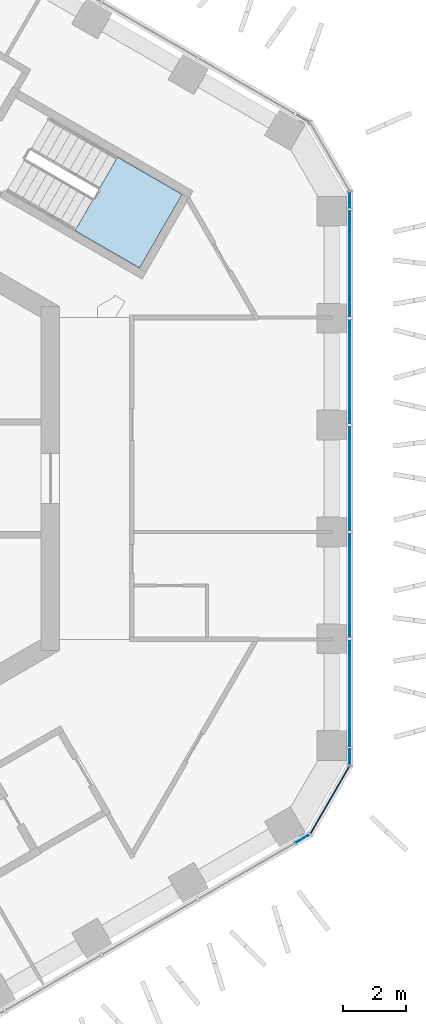
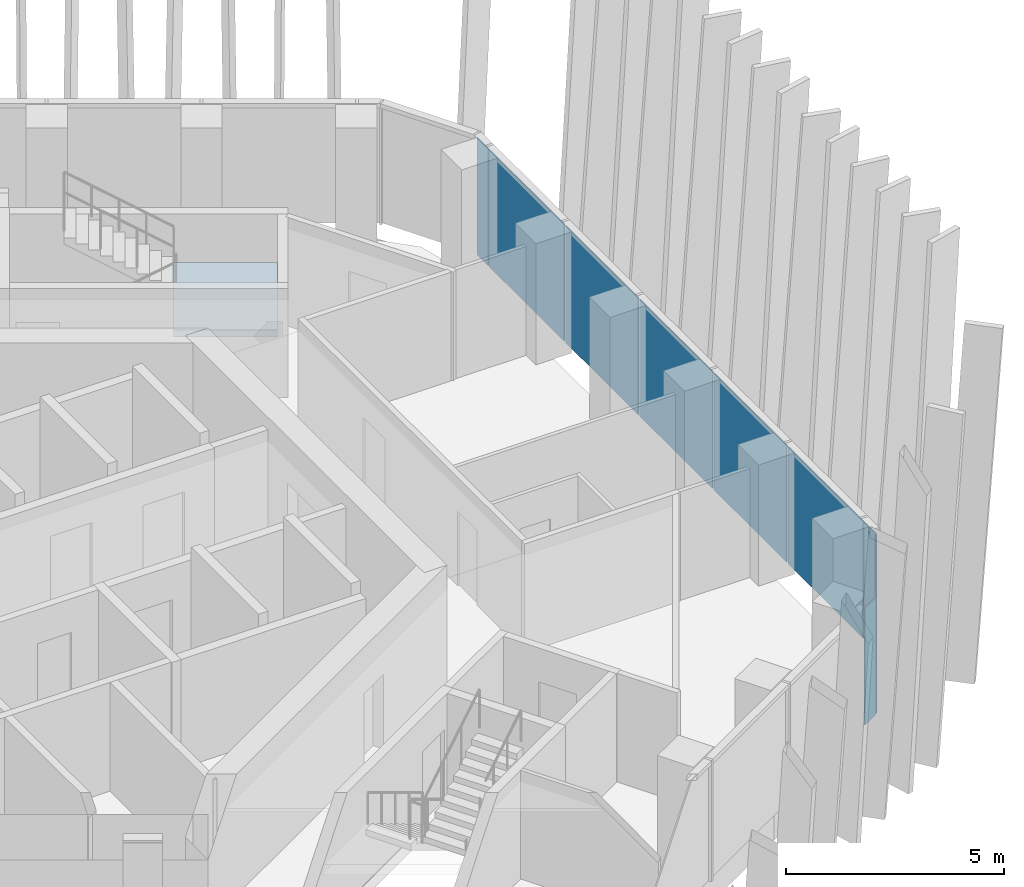
# One storey, part 11 of 20: 9 plates, 1 slab, 4 elements without a shape of their own.
"""IFC4 building model written with IfcOpenShell, lengths in metres."""

from ifc_helpers import new_model, si_unit, direction, frame, origin, origin_2d, place, context, subcontext, project, spatial, polyline, rectangle, outline, extrude, material, layer, layer_set, type_object, element, aggregate, save


model = new_model("IFC4")

# Units and contexts
model_context = context("Model", 3, precision=1e-05, world=origin(), true_north=direction((0.0, 1.0)))
body_context = subcontext(model_context, "Body", "Model", "MODEL_VIEW")
ifc_project = project(units=[si_unit("LENGTHUNIT", "METRE"), si_unit("AREAUNIT", "SQUARE_METRE"), si_unit("VOLUMEUNIT", "CUBIC_METRE"), si_unit("PLANEANGLEUNIT", "RADIAN"), si_unit("MASSUNIT", "GRAM", prefix="KILO")], contexts=[model_context])

# Site, building, storey
site_placement = place(None, origin())
site = spatial("IfcSite", under=ifc_project, at=site_placement, CompositionType="ELEMENT")
building_placement = place(site_placement, origin())
building = spatial("IfcBuilding", under=site, at=building_placement, Name="Ayvan Gate Tower", CompositionType="ELEMENT")
storey_placement = place(building_placement, frame((0.0, 0.0, 162.89990234375)))
storey = spatial("IfcBuildingStorey", under=building, at=storey_placement, Name="L43", CompositionType="ELEMENT", Elevation=162.89990234375)

# Stair, slab
ifc_material_1 = material(Name="Concrete C40/50", Category="concrete")
stair_type = type_object("IfcStairType", Name="ST-EXIT", PredefinedType="HALF_TURN_STAIR", material=ifc_material_1)
stair_placement = place(storey_placement, origin())
stair = element("IfcStair", 1, at=stair_placement, inside=storey, type_object=stair_type, Name="L43 Exit Stair S1", PredefinedType="HALF_TURN_STAIR")
ifc_layer_1 = layer(ifc_material_1, 0.199951171875)
ifc_layer_set_1 = layer_set([ifc_layer_1], Name="Concrete C40/50")
slab_type = type_object("IfcSlabType", Name="SL-LANDING-200", PredefinedType="LANDING", material=ifc_layer_set_1)
slab_placement = place(storey_placement, frame((0.0, 0.0, 1.5)))
slab = element("IfcSlab", 2, at=slab_placement, type_object=slab_type, Name="STS1 landing 1", PredefinedType="LANDING", context=body_context, shape_type="SweptSolid", body=[
    extrude(outline(polyline([(9.988525390625, 7.91064453125), (12.049560546875, 6.720458984375), (13.404541015625, 9.0673828125), (11.343505859375, 10.257568359375), (9.988525390625, 7.91064453125)])), origin(), (0.0, 0.0, 1.0), 0.2001953125),
])
aggregate(stair, [slab])

# Curtain wall, plates
ifc_material_2 = material(Name="Bronze anodised aluminium", Category="aluminium")
ifc_layer_2 = layer(ifc_material_2, 0.199951171875)
ifc_layer_set_2 = layer_set([ifc_layer_2], Name="Bronze anodised aluminium")
curtain_wall_type_1 = type_object("IfcCurtainWallType", Name="Stick curtain wall CW-2", PredefinedType="NOTDEFINED", material=ifc_layer_set_2)
curtain_wall_1_placement = place(storey_placement, origin())
curtain_wall_1 = element("IfcCurtainWall", 3, at=curtain_wall_1_placement, inside=storey, type_object=curtain_wall_type_1, Name="Stick curtain wall CW-2 L43", PredefinedType="NOTDEFINED")
ifc_material_3 = material(Name="Clear low-iron laminated glass", Category="glass")
ifc_layer_3 = layer(ifc_material_3, 0.028076171875)
ifc_layer_set_3 = layer_set([ifc_layer_3], Name="Clear low-iron laminated glass")
plate_type_1 = type_object("IfcPlateType", Name="Stick curtain wall CW-2 glass panel", PredefinedType="CURTAIN_PANEL", material=ifc_layer_set_3)
plate_1_placement = place(storey_placement, frame((18.761474609375, -6.877685546875, 0.0), z_axis=(0.0, 0.0, 1.0), x_axis=(0.0, 1.0, 0.0)))
plate_1 = element("IfcPlate", 4, at=plate_1_placement, type_object=plate_type_1, Name="CW-2 glass panel 1", PredefinedType="CURTAIN_PANEL", context=body_context, shape_type="SweptSolid", body=[
    extrude(rectangle(XDim=3.450927734375, YDim=0.028076171875, at=origin_2d()), origin(), (0.0, 0.0, 1.0), 3.280029296875),
])
plate_2_placement = place(storey_placement, frame((18.761474609375, -3.41162109375, 0.0), z_axis=(0.0, 0.0, 1.0), x_axis=(0.0, 1.0, 0.0)))
plate_2 = element("IfcPlate", 5, at=plate_2_placement, type_object=plate_type_1, Name="CW-2 glass panel 2", PredefinedType="CURTAIN_PANEL", context=body_context, shape_type="SweptSolid", body=[
    extrude(rectangle(XDim=3.341064453125, YDim=0.028076171875, at=origin_2d()), origin(), (0.0, 0.0, 1.0), 3.280029296875),
])
plate_3_placement = place(storey_placement, frame((18.761474609375, 0.0, 0.0), z_axis=(0.0, 0.0, 1.0), x_axis=(0.0, 1.0, 0.0)))
plate_3 = element("IfcPlate", 6, at=plate_3_placement, type_object=plate_type_1, Name="CW-2 glass panel 3", PredefinedType="CURTAIN_PANEL", context=body_context, shape_type="SweptSolid", body=[
    extrude(rectangle(XDim=3.342041015625, YDim=0.028076171875, at=origin_2d()), origin(), (0.0, 0.0, 1.0), 3.280029296875),
])
plate_4_placement = place(storey_placement, frame((18.761474609375, 3.411376953125, 0.0), z_axis=(0.0, 0.0, 1.0), x_axis=(0.0, 1.0, 0.0)))
plate_4 = element("IfcPlate", 7, at=plate_4_placement, type_object=plate_type_1, Name="CW-2 glass panel 4", PredefinedType="CURTAIN_PANEL", context=body_context, shape_type="SweptSolid", body=[
    extrude(rectangle(XDim=3.341064453125, YDim=0.028076171875, at=origin_2d()), origin(), (0.0, 0.0, 1.0), 3.280029296875),
])
plate_5_placement = place(storey_placement, frame((18.761474609375, 6.87744140625, 0.0), z_axis=(0.0, 0.0, 1.0), x_axis=(0.0, 1.0, 0.0)))
plate_5 = element("IfcPlate", 8, at=plate_5_placement, type_object=plate_type_1, Name="CW-2 glass panel 5", PredefinedType="CURTAIN_PANEL", context=body_context, shape_type="SweptSolid", body=[
    extrude(rectangle(XDim=3.451171875, YDim=0.028076171875, at=origin_2d()), origin(), (0.0, 0.0, 1.0), 3.280029296875),
])
aggregate(curtain_wall_1, [plate_1, plate_2, plate_3, plate_4, plate_5])

ifc_layer_4 = layer(ifc_material_2, 0.199951171875)
ifc_layer_set_4 = layer_set([ifc_layer_4], Name="Bronze anodised aluminium")
curtain_wall_type_2 = type_object("IfcCurtainWallType", Name="Stick curtain wall CW-6", PredefinedType="NOTDEFINED", material=ifc_layer_set_4)
curtain_wall_2_placement = place(storey_placement, origin())
curtain_wall_2 = element("IfcCurtainWall", 9, at=curtain_wall_2_placement, inside=storey, type_object=curtain_wall_type_2, Name="Stick curtain wall CW-6 L43", PredefinedType="NOTDEFINED")
ifc_layer_5 = layer(ifc_material_3, 0.028076171875)
ifc_layer_set_5 = layer_set([ifc_layer_5], Name="Clear low-iron laminated glass")
plate_type_2 = type_object("IfcPlateType", Name="Stick curtain wall CW-6 glass panel", PredefinedType="CURTAIN_PANEL", material=ifc_layer_set_5)
plate_6_placement = place(storey_placement, frame((17.256103515625, -11.49560546875, 0.0), z_axis=(0.0, 0.0, 1.0), x_axis=(0.866025403784, 0.5, 0.0)))
plate_6 = element("IfcPlate", 10, at=plate_6_placement, type_object=plate_type_2, Name="CW-6 glass panel 1", PredefinedType="CURTAIN_PANEL", context=body_context, shape_type="SweptSolid", body=[
    extrude(rectangle(XDim=0.5, YDim=0.028076171875, at=origin_2d()), origin(), (0.0, 0.0, 1.0), 3.280029296875),
])
plate_7_placement = place(storey_placement, frame((18.1279296875, -10.260498046875, 0.0), z_axis=(0.0, 0.0, 1.0), x_axis=(0.5, 0.866025403784, 0.0)))
plate_7 = element("IfcPlate", 11, at=plate_7_placement, type_object=plate_type_2, Name="CW-6 glass panel 2", PredefinedType="CURTAIN_PANEL", context=body_context, shape_type="SweptSolid", body=[
    extrude(rectangle(XDim=2.484619140625, YDim=0.028076171875, at=origin_2d()), origin(), (0.0, 0.0, 1.0), 3.280029296875),
])
plate_8_placement = place(storey_placement, frame((18.761474609375, -8.88818359375, 0.0), z_axis=(0.0, 0.0, 1.0), x_axis=(0.0, 1.0, 0.0)))
plate_8 = element("IfcPlate", 12, at=plate_8_placement, type_object=plate_type_2, Name="CW-6 glass panel 3", PredefinedType="CURTAIN_PANEL", context=body_context, shape_type="SweptSolid", body=[
    extrude(rectangle(XDim=0.5, YDim=0.028076171875, at=origin_2d()), origin(), (0.0, 0.0, 1.0), 3.280029296875),
])
aggregate(curtain_wall_2, [plate_6, plate_7, plate_8])

# Curtain wall, plate
curtain_wall_3_placement = place(storey_placement, origin())
curtain_wall_3 = element("IfcCurtainWall", 13, at=curtain_wall_3_placement, inside=storey, type_object=curtain_wall_type_2, Name="Stick curtain wall CW-6 L43", PredefinedType="NOTDEFINED")
plate_9_placement = place(storey_placement, frame((18.761474609375, 8.88818359375, 0.0), z_axis=(0.0, 0.0, 1.0), x_axis=(0.0, 1.0, 0.0)))
plate_9 = element("IfcPlate", 14, at=plate_9_placement, type_object=plate_type_2, Name="CW-6 glass panel 1", PredefinedType="CURTAIN_PANEL", context=body_context, shape_type="SweptSolid", body=[
    extrude(rectangle(XDim=0.5, YDim=0.028076171875, at=origin_2d()), origin(), (0.0, 0.0, 1.0), 3.280029296875),
])
aggregate(curtain_wall_3, [plate_9])

save(model, "model.ifc")
